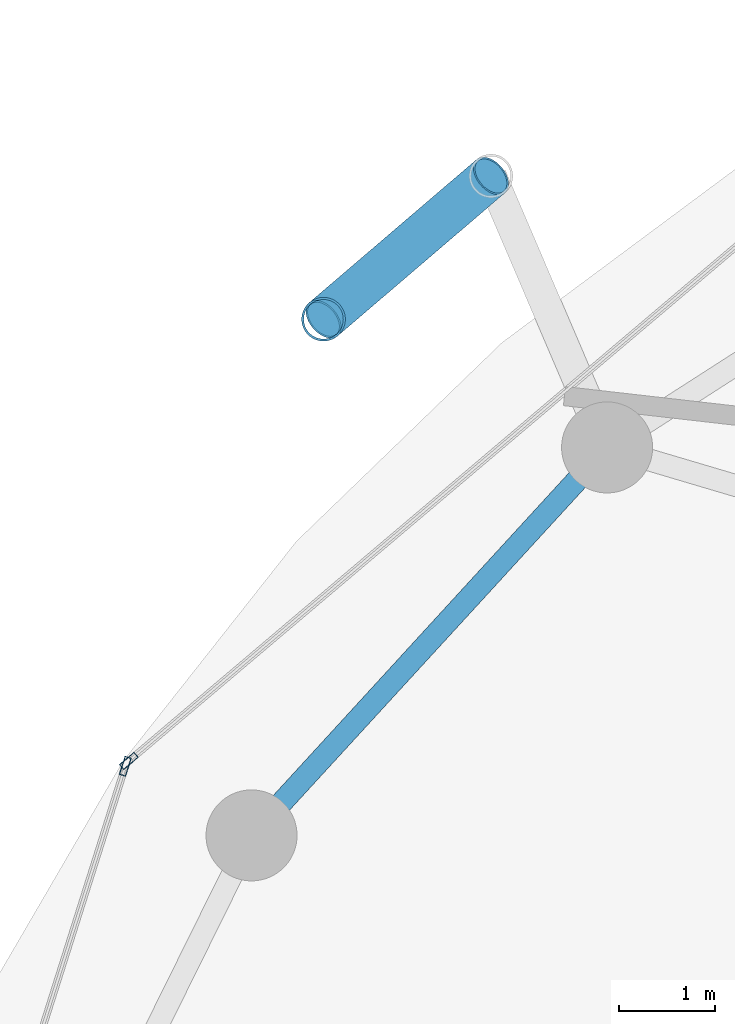
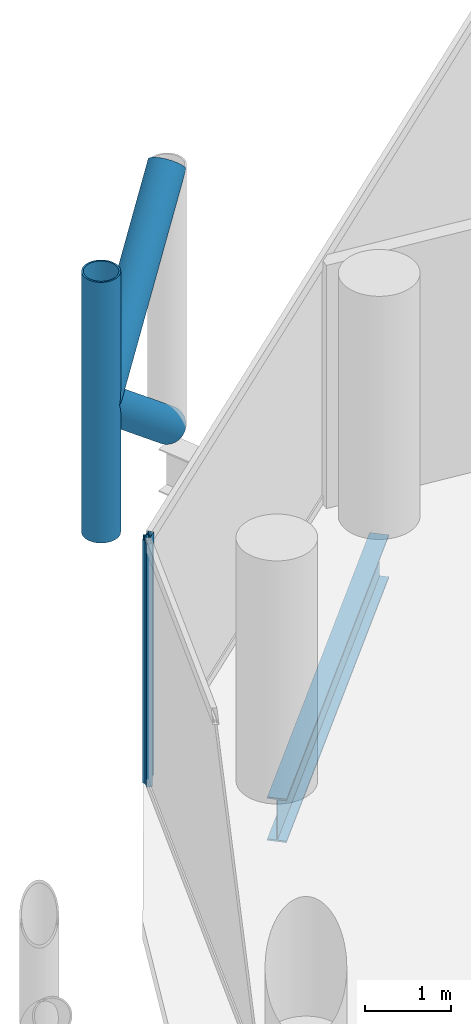
# One storey, part 13 of 26: 5 members, 1 beam, 2 elements without a shape of their own.
"""IFC4 building model written with IfcOpenShell, lengths in metres."""

from ifc_helpers import new_model, si_unit, direction, frame, origin, origin_2d, place, context, subcontext, project, spatial, hollow_rectangle, hollow_circle, i_section, extrude, material, layer, layer_set, material_profile, profile_set, type_object, element, aggregate, save


model = new_model("IFC4")

# Units and contexts
model_context = context("Model", 3, precision=1e-05, world=origin(), true_north=direction((0.0, 1.0)))
body_context = subcontext(model_context, "Body", "Model", "MODEL_VIEW")
ifc_project = project(units=[si_unit("LENGTHUNIT", "METRE"), si_unit("AREAUNIT", "SQUARE_METRE"), si_unit("VOLUMEUNIT", "CUBIC_METRE"), si_unit("PLANEANGLEUNIT", "RADIAN"), si_unit("MASSUNIT", "GRAM", prefix="KILO")], contexts=[model_context])

# Site, building, storey
site_placement = place(None, origin())
site = spatial("IfcSite", under=ifc_project, at=site_placement, CompositionType="ELEMENT")
building_placement = place(site_placement, origin())
building = spatial("IfcBuilding", under=site, at=building_placement, Name="Nuhasar Tower", CompositionType="ELEMENT")
storey_placement = place(building_placement, frame((0.0, 0.0, 151.550048828125)))
storey = spatial("IfcBuildingStorey", under=building, at=storey_placement, Name="L36", CompositionType="ELEMENT", Elevation=151.550048828125)

# Beam
ifc_material_1 = material(Name="Steel S355", Category="steel")
ifc_material_profile_1 = material_profile(ifc_material_1, i_section(OverallWidth=0.22998046875, OverallDepth=0.616943359375, WebThickness=0.01318359375, FlangeThickness=0.022216796875, at=origin_2d()), Name="W24X94")
ifc_profile_set_1 = profile_set([ifc_material_profile_1], Name="Steel S355")
beam_type = type_object("IfcBeamType", Name="BM-RING-W24X94", PredefinedType="SPANDREL", material=ifc_profile_set_1)
beam_placement = place(storey_placement, frame((22.489013671875, 40.6240234375, -0.55810546875), z_axis=(-0.675654174897, -0.737218716491, 0.0), x_axis=(0.737218716491, -0.675654174897, 0.0)))
element("IfcBeam", 1, at=beam_placement, inside=storey, type_object=beam_type, Name="L36 Perimeter Ring Spandrel 10", PredefinedType="SPANDREL", context=body_context, shape_type="SweptSolid", body=[
    extrude(i_section(OverallWidth=0.22998046875, OverallDepth=0.616943359375, WebThickness=0.01318359375, FlangeThickness=0.022216796875, at=origin_2d()), origin(), (0.0, 0.0, 1.0), 5.492431640625),
])

# Curtain wall, member
ifc_material_2 = material(Name="Aluminium 6063-T6", Category="aluminium")
ifc_layer = layer(ifc_material_2, 0.199951171875)
ifc_layer_set = layer_set([ifc_layer], Name="Aluminium 6063-T6")
curtain_wall_type = type_object("IfcCurtainWallType", Name="CW-Z2-HTL", PredefinedType="NOTDEFINED", material=ifc_layer_set)
curtain_wall_1_placement = place(storey_placement, origin())
curtain_wall_1 = element("IfcCurtainWall", 2, at=curtain_wall_1_placement, inside=storey, type_object=curtain_wall_type, Name="L36 Unitised Curtain Wall 05", PredefinedType="NOTDEFINED")
ifc_material_profile_2 = material_profile(ifc_material_2, hollow_rectangle(XDim=0.070068359375, YDim=0.199951171875, WallThickness=0.0048828125, at=origin_2d()), Name="CWM-3")
ifc_profile_set_2 = profile_set([ifc_material_profile_2], Name="Aluminium 6063-T6")
member_type_1 = type_object("IfcMemberType", Name="CW-MUL-S3", PredefinedType="MULLION", material=ifc_profile_set_2)
member_1_placement = place(storey_placement, frame((17.497802734375, 37.3525390625, 0.0), z_axis=(0.0, 0.0, 1.0), x_axis=(0.646374438324, -0.763020370292, 0.0)))
member_1 = element("IfcMember", 3, at=member_1_placement, type_object=member_type_1, Name="CW-Z2 mullion 2", PredefinedType="MULLION", context=body_context, shape_type="SweptSolid", body=[
    extrude(hollow_rectangle(XDim=0.070068359375, YDim=0.199951171875, WallThickness=0.0048828125, at=origin_2d()), origin(), (0.0, 0.0, 1.0), 3.449951171875),
])
aggregate(curtain_wall_1, [member_1])

curtain_wall_2_placement = place(storey_placement, origin())
curtain_wall_2 = element("IfcCurtainWall", 4, at=curtain_wall_2_placement, inside=storey, type_object=curtain_wall_type, Name="L36 Unitised Curtain Wall 06", PredefinedType="NOTDEFINED")
member_2_placement = place(storey_placement, frame((17.46044921875, 37.296630859375, 0.0), z_axis=(0.0, 0.0, 1.0), x_axis=(0.953433389233, -0.301603667577, 0.0)))
member_2 = element("IfcMember", 5, at=member_2_placement, type_object=member_type_1, Name="CW-Z2 mullion 1", PredefinedType="MULLION", context=body_context, shape_type="SweptSolid", body=[
    extrude(hollow_rectangle(XDim=0.070068359375, YDim=0.199951171875, WallThickness=0.0048828125, at=origin_2d()), origin(), (0.0, 0.0, 1.0), 3.449951171875),
])
aggregate(curtain_wall_2, [member_2])

# Members
ifc_material_3 = material(Name="Steel S460", Category="steel")
ifc_material_profile_3 = material_profile(ifc_material_3, hollow_circle(Radius=0.228515625, WallThickness=0.022216796875, at=origin_2d()), Name="HSS457X22.2")
ifc_profile_set_3 = profile_set([ifc_material_profile_3], Name="Steel S460")
member_type_2 = type_object("IfcMemberType", Name="EXO-BRONZE-457", PredefinedType="BRACE", material=ifc_profile_set_3)
member_3_placement = place(storey_placement, frame((19.529052734375, 41.9619140625, 0.0), z_axis=(0.0, 0.0, 1.0), x_axis=(1.0, 0.0, 0.0)))
element("IfcMember", 6, at=member_3_placement, inside=storey, type_object=member_type_2, Name="L36 Exoskeleton Chord Column EC-05B", PredefinedType="BRACE", context=body_context, shape_type="SweptSolid", body=[
    extrude(hollow_circle(Radius=0.228515625, WallThickness=0.022216796875, at=origin_2d()), origin(), (0.0, 0.0, 1.0), 3.699951171875),
])
member_4_placement = place(storey_placement, frame((21.277099609375, 43.45703125, 0.0), z_axis=(-0.592201065785, -0.506513872468, 0.626690988192), x_axis=(0.649986859795, -0.759945446788, 0.0)))
element("IfcMember", 7, at=member_4_placement, inside=storey, type_object=member_type_2, Name="L36 Bronze Diagrid Brace W1-05", PredefinedType="BRACE", context=body_context, shape_type="SweptSolid", body=[
    extrude(hollow_circle(Radius=0.228515625, WallThickness=0.022216796875, at=origin_2d()), origin(), (0.0, 0.0, 1.0), 2.95166015625),
])
member_5_placement = place(storey_placement, frame((19.529052734375, 41.9619140625, 1.849853515625), z_axis=(0.592170370358, 0.506487618445, 0.626741210415), x_axis=(-0.649986859795, 0.759945446788, 0.0)))
element("IfcMember", 8, at=member_5_placement, inside=storey, type_object=member_type_2, Name="L36 Bronze Diagrid Brace W2-05", PredefinedType="BRACE", context=body_context, shape_type="SweptSolid", body=[
    extrude(hollow_circle(Radius=0.228515625, WallThickness=0.022216796875, at=origin_2d()), origin(), (0.0, 0.0, 1.0), 2.951904296875),
])

save(model, "model.ifc")
